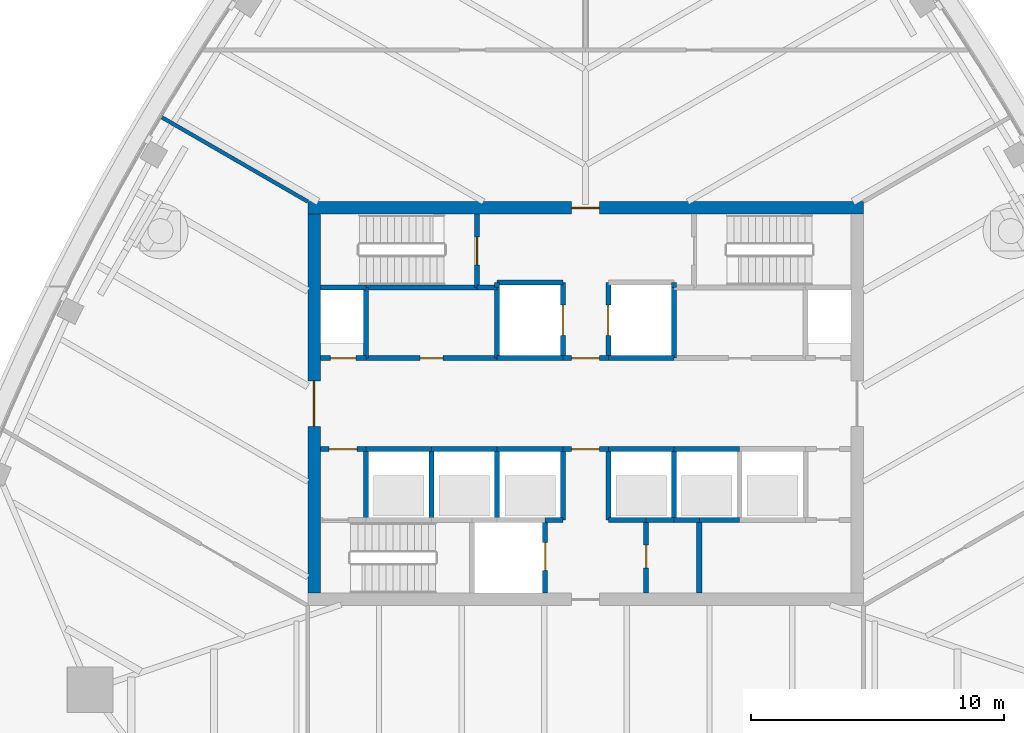
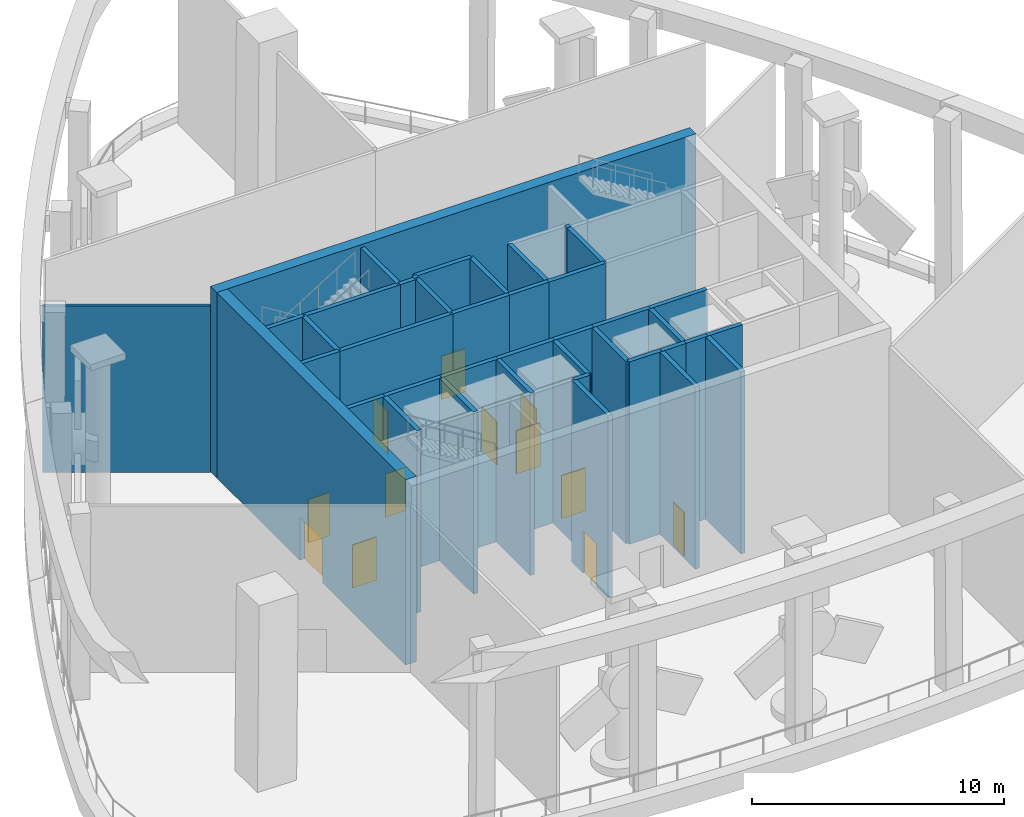
# One storey, part 3 of 12: 41 walls, 12 doors, 12 openings.
"""IFC4 building model written with IfcOpenShell, lengths in metres."""

from ifc_helpers import new_model, si_unit, direction, frame, frame_2d, origin, place, context, subcontext, project, spatial, rectangle, extrude, material, layer, layer_set, type_object, element, fill, save


model = new_model("IFC4")

# Units and contexts
model_context = context("Model", 3, precision=1e-05, world=origin(), true_north=direction((0.0, 1.0)))
body_context = subcontext(model_context, "Body", "Model", "MODEL_VIEW")
ifc_project = project(units=[si_unit("LENGTHUNIT", "METRE"), si_unit("AREAUNIT", "SQUARE_METRE"), si_unit("VOLUMEUNIT", "CUBIC_METRE"), si_unit("PLANEANGLEUNIT", "RADIAN"), si_unit("MASSUNIT", "GRAM", prefix="KILO")], contexts=[model_context])

# Site, building, storey
site_placement = place(None, origin())
site = spatial("IfcSite", under=ifc_project, at=site_placement, CompositionType="ELEMENT")
building_placement = place(site_placement, origin())
building = spatial("IfcBuilding", under=site, at=building_placement, Name="Sierra Prisma Convention Tower", CompositionType="ELEMENT")
storey_placement = place(building_placement, frame((0.0, 0.0, 330.39990234375)))
storey = spatial("IfcBuildingStorey", under=building, at=storey_placement, Name="L75", CompositionType="ELEMENT", Elevation=330.39990234375)

# Wall, opening, door
ifc_material_1 = material(Name="Concrete C30/37", Category="concrete")
ifc_layer_1 = layer(ifc_material_1, 0.199951171875)
ifc_layer_set_1 = layer_set([ifc_layer_1], Name="Core wall RC 200 C30/37")
wall_type_1 = type_object("IfcWallType", Name="Core wall RC 200 C30/37", PredefinedType="SOLIDWALL", material=ifc_layer_set_1)
wall_1_placement = place(storey_placement, frame((-10.5, -1.800048828125, 0.0), z_axis=(0.0, 0.0, 1.0), x_axis=(1.0, 0.0, 0.0)))
wall_1 = element("IfcWall", 1, at=wall_1_placement, inside=storey, type_object=wall_type_1, Name="Core wall L75 2", PredefinedType="SOLIDWALL", context=body_context, shape_type="SweptSolid", body=[
    extrude(rectangle(XDim=1.800048828125, YDim=0.199951171875, at=frame_2d((0.89990234375, 0.0))), origin(), (0.0, 0.0, 1.0), 8.85009765625),
])
opening_1_placement = place(wall_1_placement, frame((0.35009765625, 0.0, 0.0)))
opening_1 = element("IfcOpeningElement", 2, at=opening_1_placement, cuts=wall_1, Name="Opening L75-D004", PredefinedType="OPENING", context=body_context, shape_type="SweptSolid", body=[
    extrude(rectangle(XDim=1.10009765625, YDim=2.10009765625, at=frame_2d((0.550048828125, 1.050048828125))), frame((0.0, 0.10009765625, 0.0), z_axis=(0.0, -1.0, 0.0), x_axis=(1.0, 0.0, 0.0)), (0.0, 0.0, 1.0), 0.199951171875),
])
ifc_material_2 = material(Name="Steel fire door leaf", Category="steel")
door_type_1 = type_object("IfcDoorType", Name="Door 1100x2100 FD90S", OperationType="SINGLE_SWING_LEFT", PredefinedType="DOOR", material=ifc_material_2)
door_1_placement = place(opening_1_placement, origin())
door_1 = element("IfcDoor", 3, at=door_1_placement, inside=storey, type_object=door_type_1, Name="Door L75 8", OperationType="SINGLE_SWING_RIGHT", OverallHeight=2.10009765625, OverallWidth=1.10009765625, PredefinedType="DOOR", context=body_context, shape_type="SweptSolid", body=[
    extrude(rectangle(XDim=1.10009765625, YDim=2.10009765625, at=frame_2d((0.550048828125, 1.050048828125))), frame((0.0, 0.02490234375, 0.0), z_axis=(0.0, -1.0, 0.0), x_axis=(1.0, 0.0, 0.0)), (0.0, 0.0, 1.0), 0.050048828125),
])
fill(opening_1, door_1)

wall_2_placement = place(storey_placement, frame((-8.699951171875, 1.800048828125, 0.0), z_axis=(0.0, 0.0, 1.0), x_axis=(-1.0, 0.0, 0.0)))
wall_2 = element("IfcWall", 4, at=wall_2_placement, inside=storey, type_object=wall_type_1, Name="Core wall L75 3", PredefinedType="SOLIDWALL", context=body_context, shape_type="SweptSolid", body=[
    extrude(rectangle(XDim=1.800048828125, YDim=0.199951171875, at=frame_2d((0.89990234375, 0.0))), origin(), (0.0, 0.0, 1.0), 8.85009765625),
])
opening_2_placement = place(wall_2_placement, frame((0.39990234375, 0.0, 0.0)))
opening_2 = element("IfcOpeningElement", 5, at=opening_2_placement, cuts=wall_2, Name="Opening L75-D007", PredefinedType="OPENING", context=body_context, shape_type="SweptSolid", body=[
    extrude(rectangle(XDim=1.0, YDim=2.10009765625, at=frame_2d((0.5, 1.050048828125))), frame((0.0, 0.10009765625, 0.0), z_axis=(0.0, -1.0, 0.0), x_axis=(1.0, 0.0, 0.0)), (0.0, 0.0, 1.0), 0.199951171875),
])
ifc_material_3 = material(Name="Steel fire door leaf", Category="steel")
door_type_2 = type_object("IfcDoorType", Name="Door 1000x2100 FD60S", OperationType="SINGLE_SWING_LEFT", PredefinedType="DOOR", material=ifc_material_3)
door_2_placement = place(opening_2_placement, origin())
door_2 = element("IfcDoor", 6, at=door_2_placement, inside=storey, type_object=door_type_2, Name="Door L75 11", OperationType="SINGLE_SWING_LEFT", OverallHeight=2.10009765625, OverallWidth=1.0, PredefinedType="DOOR", context=body_context, shape_type="SweptSolid", body=[
    extrude(rectangle(XDim=1.0, YDim=2.10009765625, at=frame_2d((0.5, 1.050048828125))), frame((0.0, 0.02490234375, 0.0), z_axis=(0.0, -1.0, 0.0), x_axis=(1.0, 0.0, 0.0)), (0.0, 0.0, 1.0), 0.050048828125),
])
fill(opening_2, door_2)

# Walls
wall_3_placement = place(storey_placement, frame((-8.699951171875, 4.60009765625, 0.0), z_axis=(0.0, 0.0, 1.0), x_axis=(-1.0, 0.0, 0.0)))
element("IfcWall", 7, at=wall_3_placement, inside=storey, type_object=wall_type_1, Name="Core wall L75 4", PredefinedType="SOLIDWALL", context=body_context, shape_type="SweptSolid", body=[
    extrude(rectangle(XDim=1.800048828125, YDim=0.199951171875, at=frame_2d((0.89990234375, 0.0))), origin(), (0.0, 0.0, 1.0), 8.85009765625),
])
wall_4_placement = place(storey_placement, frame((-8.699951171875, -4.60009765625, 0.0), z_axis=(0.0, 0.0, 1.0), x_axis=(0.0, 1.0, 0.0)))
element("IfcWall", 8, at=wall_4_placement, inside=storey, type_object=wall_type_1, Name="Core wall L75 6", PredefinedType="SOLIDWALL", context=body_context, shape_type="SweptSolid", body=[
    extrude(rectangle(XDim=2.800048828125, YDim=0.199951171875, at=frame_2d((1.39990234375, 0.0))), origin(), (0.0, 0.0, 1.0), 8.85009765625),
])
wall_5_placement = place(storey_placement, frame((-8.699951171875, -1.800048828125, 0.0), z_axis=(0.0, 0.0, 1.0), x_axis=(1.0, 0.0, 0.0)))
element("IfcWall", 9, at=wall_5_placement, inside=storey, type_object=wall_type_1, Name="Core wall L75 7", PredefinedType="SOLIDWALL", context=body_context, shape_type="SweptSolid", body=[
    extrude(rectangle(XDim=2.599853515625, YDim=0.199951171875, at=frame_2d((1.2998046875, 0.0))), origin(), (0.0, 0.0, 1.0), 8.85009765625),
])

# Wall, opening, door
wall_6_placement = place(storey_placement, frame((-8.699951171875, 1.800048828125, 0.0), z_axis=(0.0, 0.0, 1.0), x_axis=(1.0, 0.0, 0.0)))
wall_6 = element("IfcWall", 10, at=wall_6_placement, inside=storey, type_object=wall_type_1, Name="Core wall L75 8", PredefinedType="SOLIDWALL", context=body_context, shape_type="SweptSolid", body=[
    extrude(rectangle(XDim=5.199951171875, YDim=0.199951171875, at=frame_2d((2.60009765625, 0.0))), origin(), (0.0, 0.0, 1.0), 8.85009765625),
])
opening_3_placement = place(wall_6_placement, frame((2.14990234375, 0.0, 0.0)))
opening_3 = element("IfcOpeningElement", 11, at=opening_3_placement, cuts=wall_6, Name="Opening L75-D013", PredefinedType="OPENING", context=body_context, shape_type="SweptSolid", body=[
    extrude(rectangle(XDim=0.89990234375, YDim=2.10009765625, at=frame_2d((0.449951171875, 1.050048828125))), frame((0.0, 0.10009765625, 0.0), z_axis=(0.0, -1.0, 0.0), x_axis=(1.0, 0.0, 0.0)), (0.0, 0.0, 1.0), 0.199951171875),
])
ifc_material_4 = material(Name="Steel fire door leaf", Category="steel")
door_type_3 = type_object("IfcDoorType", Name="Door 900x2100 FD30S", OperationType="SINGLE_SWING_LEFT", PredefinedType="DOOR", material=ifc_material_4)
door_3_placement = place(opening_3_placement, origin())
door_3 = element("IfcDoor", 12, at=door_3_placement, inside=storey, type_object=door_type_3, Name="Door L75 17", OperationType="SINGLE_SWING_LEFT", OverallHeight=2.10009765625, OverallWidth=0.89990234375, PredefinedType="DOOR", context=body_context, shape_type="SweptSolid", body=[
    extrude(rectangle(XDim=0.89990234375, YDim=2.10009765625, at=frame_2d((0.449951171875, 1.050048828125))), frame((0.0, 0.02490234375, 0.0), z_axis=(0.0, -1.0, 0.0), x_axis=(1.0, 0.0, 0.0)), (0.0, 0.0, 1.0), 0.050048828125),
])
fill(opening_3, door_3)

# Walls
wall_7_placement = place(storey_placement, frame((-8.699951171875, 4.60009765625, 0.0), z_axis=(0.0, 0.0, 1.0), x_axis=(0.0, -1.0, 0.0)))
element("IfcWall", 13, at=wall_7_placement, inside=storey, type_object=wall_type_1, Name="Core wall L75 9", PredefinedType="SOLIDWALL", context=body_context, shape_type="SweptSolid", body=[
    extrude(rectangle(XDim=2.800048828125, YDim=0.199951171875, at=frame_2d((1.39990234375, 0.0))), origin(), (0.0, 0.0, 1.0), 8.85009765625),
])
wall_8_placement = place(storey_placement, frame((-4.300048828125, 4.60009765625, 0.0), z_axis=(0.0, 0.0, 1.0), x_axis=(-1.0, 0.0, 0.0)))
element("IfcWall", 14, at=wall_8_placement, inside=storey, type_object=wall_type_1, Name="Core wall L75 10", PredefinedType="SOLIDWALL", context=body_context, shape_type="SweptSolid", body=[
    extrude(rectangle(XDim=4.39990234375, YDim=0.199951171875, at=frame_2d((2.199951171875, 0.0))), origin(), (0.0, 0.0, 1.0), 8.85009765625),
])
wall_9_placement = place(storey_placement, frame((-6.10009765625, -4.60009765625, 0.0), z_axis=(0.0, 0.0, 1.0), x_axis=(0.0, 1.0, 0.0)))
element("IfcWall", 15, at=wall_9_placement, inside=storey, type_object=wall_type_1, Name="Core wall L75 12", PredefinedType="SOLIDWALL", context=body_context, shape_type="SweptSolid", body=[
    extrude(rectangle(XDim=2.800048828125, YDim=0.199951171875, at=frame_2d((1.39990234375, 0.0))), origin(), (0.0, 0.0, 1.0), 8.85009765625),
])
wall_10_placement = place(storey_placement, frame((-6.10009765625, -1.800048828125, 0.0), z_axis=(0.0, 0.0, 1.0), x_axis=(1.0, 0.0, 0.0)))
element("IfcWall", 16, at=wall_10_placement, inside=storey, type_object=wall_type_1, Name="Core wall L75 13", PredefinedType="SOLIDWALL", context=body_context, shape_type="SweptSolid", body=[
    extrude(rectangle(XDim=2.60009765625, YDim=0.199951171875, at=frame_2d((1.300048828125, 0.0))), origin(), (0.0, 0.0, 1.0), 8.85009765625),
])
wall_11_placement = place(storey_placement, frame((-3.5, 4.60009765625, 0.0), z_axis=(0.0, 0.0, 1.0), x_axis=(-1.0, 0.0, 0.0)))
element("IfcWall", 17, at=wall_11_placement, inside=storey, type_object=wall_type_1, Name="Core wall L75 16", PredefinedType="SOLIDWALL", context=body_context, shape_type="SweptSolid", body=[
    extrude(rectangle(XDim=0.800048828125, YDim=0.199951171875, at=frame_2d((0.39990234375, 0.0))), origin(), (0.0, 0.0, 1.0), 8.85009765625),
])

# Wall, opening, door
wall_12_placement = place(storey_placement, frame((-4.300048828125, 4.60009765625, 0.0), z_axis=(0.0, 0.0, 1.0), x_axis=(0.0, 1.0, 0.0)))
wall_12 = element("IfcWall", 18, at=wall_12_placement, inside=storey, type_object=wall_type_1, Name="Core wall L75 17", PredefinedType="SOLIDWALL", context=body_context, shape_type="SweptSolid", body=[
    extrude(rectangle(XDim=2.89990234375, YDim=0.199951171875, at=frame_2d((1.449951171875, 0.0))), origin(), (0.0, 0.0, 1.0), 8.85009765625),
])
opening_4_placement = place(wall_12_placement, frame((0.89990234375, 0.0, 0.0)))
opening_4 = element("IfcOpeningElement", 19, at=opening_4_placement, cuts=wall_12, Name="Opening L75-D010", PredefinedType="OPENING", context=body_context, shape_type="SweptSolid", body=[
    extrude(rectangle(XDim=1.10009765625, YDim=2.10009765625, at=frame_2d((0.550048828125, 1.050048828125))), frame((0.0, 0.10009765625, 0.0), z_axis=(0.0, -1.0, 0.0), x_axis=(1.0, 0.0, 0.0)), (0.0, 0.0, 1.0), 0.199951171875),
])
door_4_placement = place(opening_4_placement, origin())
door_4 = element("IfcDoor", 20, at=door_4_placement, inside=storey, type_object=door_type_1, Name="Door L75 14", OperationType="SINGLE_SWING_RIGHT", OverallHeight=2.10009765625, OverallWidth=1.10009765625, PredefinedType="DOOR", context=body_context, shape_type="SweptSolid", body=[
    extrude(rectangle(XDim=1.10009765625, YDim=2.10009765625, at=frame_2d((0.550048828125, 1.050048828125))), frame((0.0, 0.02490234375, 0.0), z_axis=(0.0, -1.0, 0.0), x_axis=(1.0, 0.0, 0.0)), (0.0, 0.0, 1.0), 0.050048828125),
])
fill(opening_4, door_4)

# Walls
wall_13_placement = place(storey_placement, frame((-3.5, -4.60009765625, 0.0), z_axis=(0.0, 0.0, 1.0), x_axis=(0.0, 1.0, 0.0)))
element("IfcWall", 21, at=wall_13_placement, inside=storey, type_object=wall_type_1, Name="Core wall L75 19", PredefinedType="SOLIDWALL", context=body_context, shape_type="SweptSolid", body=[
    extrude(rectangle(XDim=2.800048828125, YDim=0.199951171875, at=frame_2d((1.39990234375, 0.0))), origin(), (0.0, 0.0, 1.0), 8.85009765625),
])
for number, where, z_axis, x_axis, name in (
    (22, (-3.5, -1.800048828125, 0.0), (0.0, 0.0, 1.0), (1.0, 0.0, 0.0), "Core wall L75 20"),
    (23, (-0.89990234375, 1.800048828125, 0.0), (0.0, 0.0, 1.0), (-1.0, 0.0, 0.0), "Core wall L75 21"),
):
    element("IfcWall", number, at=place(storey_placement, frame(where, z_axis=z_axis, x_axis=x_axis)), inside=storey, type_object=wall_type_1, Name=name, PredefinedType="SOLIDWALL", context=body_context, shape_type="SweptSolid", body=[
        extrude(rectangle(XDim=2.60009765625, YDim=0.199951171875, at=frame_2d((1.300048828125, 0.0))), origin(), (0.0, 0.0, 1.0), 8.85009765625),
    ])
wall_14_placement = place(storey_placement, frame((-3.5, 1.800048828125, 0.0), z_axis=(0.0, 0.0, 1.0), x_axis=(0.0, 1.0, 0.0)))
element("IfcWall", 24, at=wall_14_placement, inside=storey, type_object=wall_type_1, Name="Core wall L75 22", PredefinedType="SOLIDWALL", context=body_context, shape_type="SweptSolid", body=[
    extrude(rectangle(XDim=2.800048828125, YDim=0.199951171875, at=frame_2d((1.39990234375, 0.0))), origin(), (0.0, 0.0, 1.0), 8.85009765625),
])

# Wall, opening, door
wall_15_placement = place(storey_placement, frame((-0.89990234375, 1.800048828125, 0.0), z_axis=(0.0, 0.0, 1.0), x_axis=(0.0, 1.0, 0.0)))
wall_15 = element("IfcWall", 25, at=wall_15_placement, inside=storey, type_object=wall_type_1, Name="Core wall L75 23", PredefinedType="SOLIDWALL", context=body_context, shape_type="SweptSolid", body=[
    extrude(rectangle(XDim=3.0, YDim=0.199951171875, at=frame_2d((1.5, 0.0))), origin(), (0.0, 0.0, 1.0), 8.85009765625),
])
opening_5_placement = place(wall_15_placement, frame((0.89990234375, 0.0, 0.0)))
opening_5 = element("IfcOpeningElement", 26, at=opening_5_placement, cuts=wall_15, Name="Opening L75-D001", PredefinedType="OPENING", context=body_context, shape_type="SweptSolid", body=[
    extrude(rectangle(XDim=1.199951171875, YDim=2.10009765625, at=frame_2d((0.60009765625, 1.050048828125))), frame((0.0, 0.10009765625, 0.0), z_axis=(0.0, -1.0, 0.0), x_axis=(1.0, 0.0, 0.0)), (0.0, 0.0, 1.0), 0.199951171875),
])
ifc_material_5 = material(Name="Steel fire door leaf", Category="steel")
door_type_4 = type_object("IfcDoorType", Name="Door 1200x2100 EI 90 sliding lift landing", OperationType="SLIDING_TO_LEFT", PredefinedType="DOOR", material=ifc_material_5)
door_5_placement = place(opening_5_placement, origin())
door_5 = element("IfcDoor", 27, at=door_5_placement, inside=storey, type_object=door_type_4, Name="Door L75 5", OperationType="SLIDING_TO_RIGHT", OverallHeight=2.10009765625, OverallWidth=1.199951171875, PredefinedType="DOOR", context=body_context, shape_type="SweptSolid", body=[
    extrude(rectangle(XDim=1.199951171875, YDim=2.10009765625, at=frame_2d((0.60009765625, 1.050048828125))), frame((0.0, 0.02490234375, 0.0), z_axis=(0.0, -1.0, 0.0), x_axis=(1.0, 0.0, 0.0)), (0.0, 0.0, 1.0), 0.050048828125),
])
fill(opening_5, door_5)

# Walls
wall_16_placement = place(storey_placement, frame((-0.89990234375, 4.800048828125, 0.0), z_axis=(0.0, 0.0, 1.0), x_axis=(-1.0, 0.0, 0.0)))
element("IfcWall", 28, at=wall_16_placement, inside=storey, type_object=wall_type_1, Name="Core wall L75 24", PredefinedType="SOLIDWALL", context=body_context, shape_type="SweptSolid", body=[
    extrude(rectangle(XDim=2.60009765625, YDim=0.199951171875, at=frame_2d((1.300048828125, 0.0))), origin(), (0.0, 0.0, 1.0), 8.85009765625),
])
wall_17_placement = place(storey_placement, frame((-3.5, 4.800048828125, 0.0), z_axis=(0.0, 0.0, 1.0), x_axis=(0.0, -1.0, 0.0)))
element("IfcWall", 29, at=wall_17_placement, inside=storey, type_object=wall_type_1, Name="Core wall L75 25", PredefinedType="SOLIDWALL", context=body_context, shape_type="SweptSolid", body=[
    extrude(rectangle(XDim=0.199951171875, YDim=0.199951171875, at=frame_2d((0.10009765625, 0.0))), origin(), (0.0, 0.0, 1.0), 8.85009765625),
])

# Wall, opening, door
wall_18_placement = place(storey_placement, frame((-1.60009765625, -7.5, 0.0), z_axis=(0.0, 0.0, 1.0), x_axis=(0.0, 1.0, 0.0)))
wall_18 = element("IfcWall", 30, at=wall_18_placement, inside=storey, type_object=wall_type_1, Name="Core wall L75 26", PredefinedType="SOLIDWALL", context=body_context, shape_type="SweptSolid", body=[
    extrude(rectangle(XDim=2.89990234375, YDim=0.199951171875, at=frame_2d((1.449951171875, 0.0))), origin(), (0.0, 0.0, 1.0), 8.85009765625),
])
opening_6_placement = place(wall_18_placement, frame((0.89990234375, 0.0, 0.0)))
opening_6 = element("IfcOpeningElement", 31, at=opening_6_placement, cuts=wall_18, Name="Opening L75-D003", PredefinedType="OPENING", context=body_context, shape_type="SweptSolid", body=[
    extrude(rectangle(XDim=1.10009765625, YDim=2.10009765625, at=frame_2d((0.550048828125, 1.050048828125))), frame((0.0, 0.10009765625, 0.0), z_axis=(0.0, -1.0, 0.0), x_axis=(1.0, 0.0, 0.0)), (0.0, 0.0, 1.0), 0.199951171875),
])
ifc_material_6 = material(Name="Steel fire door leaf", Category="steel")
door_type_5 = type_object("IfcDoorType", Name="Door 1100x2100 EI 90 sliding lift landing", OperationType="SLIDING_TO_LEFT", PredefinedType="DOOR", material=ifc_material_6)
door_6_placement = place(opening_6_placement, origin())
door_6 = element("IfcDoor", 32, at=door_6_placement, inside=storey, type_object=door_type_5, Name="Door L75 7", OperationType="SLIDING_TO_LEFT", OverallHeight=2.10009765625, OverallWidth=1.10009765625, PredefinedType="DOOR", context=body_context, shape_type="SweptSolid", body=[
    extrude(rectangle(XDim=1.10009765625, YDim=2.10009765625, at=frame_2d((0.550048828125, 1.050048828125))), frame((0.0, 0.02490234375, 0.0), z_axis=(0.0, -1.0, 0.0), x_axis=(1.0, 0.0, 0.0)), (0.0, 0.0, 1.0), 0.050048828125),
])
fill(opening_6, door_6)

# Walls
wall_19_placement = place(storey_placement, frame((-1.60009765625, -4.60009765625, 0.0), z_axis=(0.0, 0.0, 1.0), x_axis=(1.0, 0.0, 0.0)))
element("IfcWall", 33, at=wall_19_placement, inside=storey, type_object=wall_type_1, Name="Core wall L75 27", PredefinedType="SOLIDWALL", context=body_context, shape_type="SweptSolid", body=[
    extrude(rectangle(XDim=0.7001953125, YDim=0.199951171875, at=frame_2d((0.35009765625, 0.0))), origin(), (0.0, 0.0, 1.0), 8.85009765625),
])
wall_20_placement = place(storey_placement, frame((-0.89990234375, -4.60009765625, 0.0), z_axis=(0.0, 0.0, 1.0), x_axis=(0.0, 1.0, 0.0)))
element("IfcWall", 34, at=wall_20_placement, inside=storey, type_object=wall_type_1, Name="Core wall L75 28", PredefinedType="SOLIDWALL", context=body_context, shape_type="SweptSolid", body=[
    extrude(rectangle(XDim=2.800048828125, YDim=0.199951171875, at=frame_2d((1.39990234375, 0.0))), origin(), (0.0, 0.0, 1.0), 8.85009765625),
])

# Wall, opening, door
wall_21_placement = place(storey_placement, frame((-0.89990234375, -1.800048828125, 0.0), z_axis=(0.0, 0.0, 1.0), x_axis=(1.0, 0.0, 0.0)))
wall_21 = element("IfcWall", 35, at=wall_21_placement, inside=storey, type_object=wall_type_1, Name="Core wall L75 29", PredefinedType="SOLIDWALL", context=body_context, shape_type="SweptSolid", body=[
    extrude(rectangle(XDim=1.7998046875, YDim=0.199951171875, at=frame_2d((0.89990234375, 0.0))), origin(), (0.0, 0.0, 1.0), 8.85009765625),
])
opening_7_placement = place(wall_21_placement, frame((0.35009765625, 0.0, 0.0)))
opening_7 = element("IfcOpeningElement", 36, at=opening_7_placement, cuts=wall_21, Name="Opening L75-D006", PredefinedType="OPENING", context=body_context, shape_type="SweptSolid", body=[
    extrude(rectangle(XDim=1.10009765625, YDim=2.10009765625, at=frame_2d((0.550048828125, 1.050048828125))), frame((0.0, 0.10009765625, 0.0), z_axis=(0.0, -1.0, 0.0), x_axis=(1.0, 0.0, 0.0)), (0.0, 0.0, 1.0), 0.199951171875),
])
ifc_material_7 = material(Name="Steel fire door leaf", Category="steel")
door_type_6 = type_object("IfcDoorType", Name="Door 1100x2100 FD30S", OperationType="SINGLE_SWING_LEFT", PredefinedType="DOOR", material=ifc_material_7)
door_7_placement = place(opening_7_placement, origin())
door_7 = element("IfcDoor", 37, at=door_7_placement, inside=storey, type_object=door_type_6, Name="Door L75 10", OperationType="SINGLE_SWING_LEFT", OverallHeight=2.10009765625, OverallWidth=1.10009765625, PredefinedType="DOOR", context=body_context, shape_type="SweptSolid", body=[
    extrude(rectangle(XDim=1.10009765625, YDim=2.10009765625, at=frame_2d((0.550048828125, 1.050048828125))), frame((0.0, 0.02490234375, 0.0), z_axis=(0.0, -1.0, 0.0), x_axis=(1.0, 0.0, 0.0)), (0.0, 0.0, 1.0), 0.050048828125),
])
fill(opening_7, door_7)

wall_22_placement = place(storey_placement, frame((0.89990234375, 1.800048828125, 0.0), z_axis=(0.0, 0.0, 1.0), x_axis=(-1.0, 0.0, 0.0)))
wall_22 = element("IfcWall", 38, at=wall_22_placement, inside=storey, type_object=wall_type_1, Name="Core wall L75 30", PredefinedType="SOLIDWALL", context=body_context, shape_type="SweptSolid", body=[
    extrude(rectangle(XDim=1.7998046875, YDim=0.199951171875, at=frame_2d((0.89990234375, 0.0))), origin(), (0.0, 0.0, 1.0), 8.85009765625),
])
opening_8_placement = place(wall_22_placement, frame((0.35009765625, 0.0, 0.0)))
opening_8 = element("IfcOpeningElement", 39, at=opening_8_placement, cuts=wall_22, Name="Opening L75-D005", PredefinedType="OPENING", context=body_context, shape_type="SweptSolid", body=[
    extrude(rectangle(XDim=1.10009765625, YDim=2.10009765625, at=frame_2d((0.550048828125, 1.050048828125))), frame((0.0, 0.10009765625, 0.0), z_axis=(0.0, -1.0, 0.0), x_axis=(1.0, 0.0, 0.0)), (0.0, 0.0, 1.0), 0.199951171875),
])
ifc_material_8 = material(Name="Steel fire door leaf", Category="steel")
door_type_7 = type_object("IfcDoorType", Name="Door 1100x2100 FD60S", OperationType="SINGLE_SWING_LEFT", PredefinedType="DOOR", material=ifc_material_8)
door_8_placement = place(opening_8_placement, origin())
door_8 = element("IfcDoor", 40, at=door_8_placement, inside=storey, type_object=door_type_7, Name="Door L75 9", OperationType="SINGLE_SWING_RIGHT", OverallHeight=2.10009765625, OverallWidth=1.10009765625, PredefinedType="DOOR", context=body_context, shape_type="SweptSolid", body=[
    extrude(rectangle(XDim=1.10009765625, YDim=2.10009765625, at=frame_2d((0.550048828125, 1.050048828125))), frame((0.0, 0.02490234375, 0.0), z_axis=(0.0, -1.0, 0.0), x_axis=(1.0, 0.0, 0.0)), (0.0, 0.0, 1.0), 0.050048828125),
])
fill(opening_8, door_8)

# Walls
wall_23_placement = place(storey_placement, frame((0.89990234375, -1.800048828125, 0.0), z_axis=(0.0, 0.0, 1.0), x_axis=(1.0, 0.0, 0.0)))
element("IfcWall", 41, at=wall_23_placement, inside=storey, type_object=wall_type_1, Name="Core wall L75 31", PredefinedType="SOLIDWALL", context=body_context, shape_type="SweptSolid", body=[
    extrude(rectangle(XDim=2.60009765625, YDim=0.199951171875, at=frame_2d((1.300048828125, 0.0))), origin(), (0.0, 0.0, 1.0), 8.85009765625),
])
wall_24_placement = place(storey_placement, frame((0.89990234375, -1.800048828125, 0.0), z_axis=(0.0, 0.0, 1.0), x_axis=(0.0, -1.0, 0.0)))
element("IfcWall", 42, at=wall_24_placement, inside=storey, type_object=wall_type_1, Name="Core wall L75 32", PredefinedType="SOLIDWALL", context=body_context, shape_type="SweptSolid", body=[
    extrude(rectangle(XDim=2.800048828125, YDim=0.199951171875, at=frame_2d((1.39990234375, 0.0))), origin(), (0.0, 0.0, 1.0), 8.85009765625),
])
wall_25_placement = place(storey_placement, frame((0.89990234375, -4.60009765625, 0.0), z_axis=(0.0, 0.0, 1.0), x_axis=(1.0, 0.0, 0.0)))
element("IfcWall", 43, at=wall_25_placement, inside=storey, type_object=wall_type_1, Name="Core wall L75 33", PredefinedType="SOLIDWALL", context=body_context, shape_type="SweptSolid", body=[
    extrude(rectangle(XDim=1.5, YDim=0.199951171875, at=frame_2d((0.75, 0.0))), origin(), (0.0, 0.0, 1.0), 8.85009765625),
])
wall_26_placement = place(storey_placement, frame((3.5, 1.800048828125, 0.0), z_axis=(0.0, 0.0, 1.0), x_axis=(-1.0, 0.0, 0.0)))
element("IfcWall", 44, at=wall_26_placement, inside=storey, type_object=wall_type_1, Name="Core wall L75 34", PredefinedType="SOLIDWALL", context=body_context, shape_type="SweptSolid", body=[
    extrude(rectangle(XDim=2.60009765625, YDim=0.199951171875, at=frame_2d((1.300048828125, 0.0))), origin(), (0.0, 0.0, 1.0), 8.85009765625),
])
wall_27_placement = place(storey_placement, frame((3.5, 4.60009765625, 0.0), z_axis=(0.0, 0.0, 1.0), x_axis=(0.0, 1.0, 0.0)))
element("IfcWall", 45, at=wall_27_placement, inside=storey, type_object=wall_type_1, Name="Core wall L75 35", PredefinedType="SOLIDWALL", context=body_context, shape_type="SweptSolid", body=[
    extrude(rectangle(XDim=0.199951171875, YDim=0.199951171875, at=frame_2d((0.10009765625, 0.0))), origin(), (0.0, 0.0, 1.0), 8.85009765625),
])

# Wall, opening, door
wall_28_placement = place(storey_placement, frame((0.89990234375, 4.800048828125, 0.0), z_axis=(0.0, 0.0, 1.0), x_axis=(0.0, -1.0, 0.0)))
wall_28 = element("IfcWall", 46, at=wall_28_placement, inside=storey, type_object=wall_type_1, Name="Core wall L75 37", PredefinedType="SOLIDWALL", context=body_context, shape_type="SweptSolid", body=[
    extrude(rectangle(XDim=3.0, YDim=0.199951171875, at=frame_2d((1.5, 0.0))), origin(), (0.0, 0.0, 1.0), 8.85009765625),
])
opening_9_placement = place(wall_28_placement, frame((0.89990234375, 0.0, 0.0)))
opening_9 = element("IfcOpeningElement", 47, at=opening_9_placement, cuts=wall_28, Name="Opening L75-D002", PredefinedType="OPENING", context=body_context, shape_type="SweptSolid", body=[
    extrude(rectangle(XDim=1.199951171875, YDim=2.10009765625, at=frame_2d((0.60009765625, 1.050048828125))), frame((0.0, 0.10009765625, 0.0), z_axis=(0.0, -1.0, 0.0), x_axis=(1.0, 0.0, 0.0)), (0.0, 0.0, 1.0), 0.199951171875),
])
door_9_placement = place(opening_9_placement, origin())
door_9 = element("IfcDoor", 48, at=door_9_placement, inside=storey, type_object=door_type_4, Name="Door L75 6", OperationType="SLIDING_TO_RIGHT", OverallHeight=2.10009765625, OverallWidth=1.199951171875, PredefinedType="DOOR", context=body_context, shape_type="SweptSolid", body=[
    extrude(rectangle(XDim=1.199951171875, YDim=2.10009765625, at=frame_2d((0.60009765625, 1.050048828125))), frame((0.0, 0.02490234375, 0.0), z_axis=(0.0, -1.0, 0.0), x_axis=(1.0, 0.0, 0.0)), (0.0, 0.0, 1.0), 0.050048828125),
])
fill(opening_9, door_9)

wall_29_placement = place(storey_placement, frame((2.39990234375, -4.60009765625, 0.0), z_axis=(0.0, 0.0, 1.0), x_axis=(0.0, -1.0, 0.0)))
wall_29 = element("IfcWall", 49, at=wall_29_placement, inside=storey, type_object=wall_type_1, Name="Core wall L75 38", PredefinedType="SOLIDWALL", context=body_context, shape_type="SweptSolid", body=[
    extrude(rectangle(XDim=2.89990234375, YDim=0.199951171875, at=frame_2d((1.449951171875, 0.0))), origin(), (0.0, 0.0, 1.0), 8.85009765625),
])
opening_10_placement = place(wall_29_placement, frame((1.0, 0.0, 0.0)))
opening_10 = element("IfcOpeningElement", 50, at=opening_10_placement, cuts=wall_29, Name="Opening L75-D016", PredefinedType="OPENING", context=body_context, shape_type="SweptSolid", body=[
    extrude(rectangle(XDim=0.89990234375, YDim=2.10009765625, at=frame_2d((0.449951171875, 1.050048828125))), frame((0.0, 0.10009765625, 0.0), z_axis=(0.0, -1.0, 0.0), x_axis=(1.0, 0.0, 0.0)), (0.0, 0.0, 1.0), 0.199951171875),
])
door_10_placement = place(opening_10_placement, origin())
door_10 = element("IfcDoor", 51, at=door_10_placement, inside=storey, type_object=door_type_3, Name="Door L75 20", OperationType="SINGLE_SWING_LEFT", OverallHeight=2.10009765625, OverallWidth=0.89990234375, PredefinedType="DOOR", context=body_context, shape_type="SweptSolid", body=[
    extrude(rectangle(XDim=0.89990234375, YDim=2.10009765625, at=frame_2d((0.449951171875, 1.050048828125))), frame((0.0, 0.02490234375, 0.0), z_axis=(0.0, -1.0, 0.0), x_axis=(1.0, 0.0, 0.0)), (0.0, 0.0, 1.0), 0.050048828125),
])
fill(opening_10, door_10)

# Walls
wall_30_placement = place(storey_placement, frame((3.5, -4.60009765625, 0.0), z_axis=(0.0, 0.0, 1.0), x_axis=(-1.0, 0.0, 0.0)))
element("IfcWall", 52, at=wall_30_placement, inside=storey, type_object=wall_type_1, Name="Core wall L75 39", PredefinedType="SOLIDWALL", context=body_context, shape_type="SweptSolid", body=[
    extrude(rectangle(XDim=1.10009765625, YDim=0.199951171875, at=frame_2d((0.550048828125, 0.0))), origin(), (0.0, 0.0, 1.0), 8.85009765625),
])
wall_31_placement = place(storey_placement, frame((4.5, -4.60009765625, 0.0), z_axis=(0.0, 0.0, 1.0), x_axis=(-1.0, 0.0, 0.0)))
element("IfcWall", 53, at=wall_31_placement, inside=storey, type_object=wall_type_1, Name="Core wall L75 40", PredefinedType="SOLIDWALL", context=body_context, shape_type="SweptSolid", body=[
    extrude(rectangle(XDim=1.0, YDim=0.199951171875, at=frame_2d((0.5, 0.0))), origin(), (0.0, 0.0, 1.0), 8.85009765625),
])
wall_32_placement = place(storey_placement, frame((3.5, -4.60009765625, 0.0), z_axis=(0.0, 0.0, 1.0), x_axis=(0.0, 1.0, 0.0)))
element("IfcWall", 54, at=wall_32_placement, inside=storey, type_object=wall_type_1, Name="Core wall L75 41", PredefinedType="SOLIDWALL", context=body_context, shape_type="SweptSolid", body=[
    extrude(rectangle(XDim=2.800048828125, YDim=0.199951171875, at=frame_2d((1.39990234375, 0.0))), origin(), (0.0, 0.0, 1.0), 8.85009765625),
])
wall_33_placement = place(storey_placement, frame((3.5, -1.800048828125, 0.0), z_axis=(0.0, 0.0, 1.0), x_axis=(1.0, 0.0, 0.0)))
element("IfcWall", 55, at=wall_33_placement, inside=storey, type_object=wall_type_1, Name="Core wall L75 42", PredefinedType="SOLIDWALL", context=body_context, shape_type="SweptSolid", body=[
    extrude(rectangle(XDim=2.60009765625, YDim=0.199951171875, at=frame_2d((1.300048828125, 0.0))), origin(), (0.0, 0.0, 1.0), 8.85009765625),
])
wall_34_placement = place(storey_placement, frame((3.5, 4.60009765625, 0.0), z_axis=(0.0, 0.0, 1.0), x_axis=(0.0, -1.0, 0.0)))
element("IfcWall", 56, at=wall_34_placement, inside=storey, type_object=wall_type_1, Name="Core wall L75 44", PredefinedType="SOLIDWALL", context=body_context, shape_type="SweptSolid", body=[
    extrude(rectangle(XDim=2.800048828125, YDim=0.199951171875, at=frame_2d((1.39990234375, 0.0))), origin(), (0.0, 0.0, 1.0), 8.85009765625),
])
wall_35_placement = place(storey_placement, frame((4.5, -4.60009765625, 0.0), z_axis=(0.0, 0.0, 1.0), x_axis=(0.0, -1.0, 0.0)))
element("IfcWall", 57, at=wall_35_placement, inside=storey, type_object=wall_type_1, Name="Core wall L75 48", PredefinedType="SOLIDWALL", context=body_context, shape_type="SweptSolid", body=[
    extrude(rectangle(XDim=2.89990234375, YDim=0.199951171875, at=frame_2d((1.449951171875, 0.0))), origin(), (0.0, 0.0, 1.0), 8.85009765625),
])
wall_36_placement = place(storey_placement, frame((6.10009765625, -4.60009765625, 0.0), z_axis=(0.0, 0.0, 1.0), x_axis=(-1.0, 0.0, 0.0)))
element("IfcWall", 58, at=wall_36_placement, inside=storey, type_object=wall_type_1, Name="Core wall L75 49", PredefinedType="SOLIDWALL", context=body_context, shape_type="SweptSolid", body=[
    extrude(rectangle(XDim=1.60009765625, YDim=0.199951171875, at=frame_2d((0.800048828125, 0.0))), origin(), (0.0, 0.0, 1.0), 8.85009765625),
])

# Wall, opening, door
ifc_material_9 = material(Name="Concrete C50/60", Category="concrete")
ifc_layer_2 = layer(ifc_material_9, 0.5)
ifc_layer_set_2 = layer_set([ifc_layer_2], Name="Core wall RC 500 C50/60")
wall_type_2 = type_object("IfcWallType", Name="Core wall RC 500 C50/60", PredefinedType="SHEAR", material=ifc_layer_set_2)
wall_37_placement = place(storey_placement, frame((-11.0, 7.75, 0.0), z_axis=(0.0, 0.0, 1.0), x_axis=(1.0, 0.0, 0.0)))
wall_37 = element("IfcWall", 59, at=wall_37_placement, inside=storey, type_object=wall_type_2, Name="Core wall N L75", PredefinedType="SHEAR", context=body_context, shape_type="SweptSolid", body=[
    extrude(rectangle(XDim=22.0, YDim=0.5, at=frame_2d((11.0, 0.0))), origin(), (0.0, 0.0, 1.0), 9.0),
])
opening_11_placement = place(wall_37_placement, frame((10.449951171875, 0.0, 0.0)))
opening_11 = element("IfcOpeningElement", 60, at=opening_11_placement, cuts=wall_37, Name="Opening L75-D022", PredefinedType="OPENING", context=body_context, shape_type="SweptSolid", body=[
    extrude(rectangle(XDim=1.10009765625, YDim=2.10009765625, at=frame_2d((0.550048828125, 1.050048828125))), frame((0.0, 0.25, 0.0), z_axis=(0.0, -1.0, 0.0), x_axis=(1.0, 0.0, 0.0)), (0.0, 0.0, 1.0), 0.5),
])
door_11_placement = place(opening_11_placement, origin())
door_11 = element("IfcDoor", 61, at=door_11_placement, inside=storey, type_object=door_type_7, Name="Door L75 23", OperationType="SINGLE_SWING_LEFT", OverallHeight=2.10009765625, OverallWidth=1.10009765625, PredefinedType="DOOR", context=body_context, shape_type="SweptSolid", body=[
    extrude(rectangle(XDim=1.10009765625, YDim=2.10009765625, at=frame_2d((0.550048828125, 1.050048828125))), frame((0.0, 0.02490234375, 0.0), z_axis=(0.0, -1.0, 0.0), x_axis=(1.0, 0.0, 0.0)), (0.0, 0.0, 1.0), 0.050048828125),
])
fill(opening_11, door_11)

wall_38_placement = place(storey_placement, frame((-10.75, -7.5, 0.0), z_axis=(0.0, 0.0, 1.0), x_axis=(0.0, 1.0, 0.0)))
wall_38 = element("IfcWall", 62, at=wall_38_placement, inside=storey, type_object=wall_type_2, Name="Core wall W L75", PredefinedType="SHEAR", context=body_context, shape_type="SweptSolid", body=[
    extrude(rectangle(XDim=15.0, YDim=0.5, at=frame_2d((7.5, 0.0))), origin(), (0.0, 0.0, 1.0), 9.0),
])
opening_12_placement = place(wall_38_placement, frame((6.60009765625, 0.0, 0.0)))
opening_12 = element("IfcOpeningElement", 63, at=opening_12_placement, cuts=wall_38, Name="Opening L75-D024", PredefinedType="OPENING", context=body_context, shape_type="SweptSolid", body=[
    extrude(rectangle(XDim=1.800048828125, YDim=2.10009765625, at=frame_2d((0.89990234375, 1.050048828125))), frame((0.0, 0.25, 0.0), z_axis=(0.0, -1.0, 0.0), x_axis=(1.0, 0.0, 0.0)), (0.0, 0.0, 1.0), 0.5),
])
ifc_material_10 = material(Name="Steel fire door leaf", Category="steel")
door_type_8 = type_object("IfcDoorType", Name="Door 1800x2100 FD60S", OperationType="DOUBLE_DOOR_SINGLE_SWING", PredefinedType="DOOR", material=ifc_material_10)
door_12_placement = place(opening_12_placement, origin())
door_12 = element("IfcDoor", 64, at=door_12_placement, inside=storey, type_object=door_type_8, Name="Door L75 21", OperationType="DOUBLE_DOOR_SINGLE_SWING", OverallHeight=2.10009765625, OverallWidth=1.800048828125, PredefinedType="DOOR", context=body_context, shape_type="SweptSolid", body=[
    extrude(rectangle(XDim=1.800048828125, YDim=2.10009765625, at=frame_2d((0.89990234375, 1.050048828125))), frame((0.0, 0.02490234375, 0.0), z_axis=(0.0, -1.0, 0.0), x_axis=(1.0, 0.0, 0.0)), (0.0, 0.0, 1.0), 0.050048828125),
])
fill(opening_12, door_12)

# Wall
ifc_material_11 = material(Name="Gypsum board partition", Category="gypsum")
ifc_layer_3 = layer(ifc_material_11, 0.14990234375)
ifc_layer_set_3 = layer_set([ifc_layer_3], Name="Party wall 150 gypsum")
wall_type_3 = type_object("IfcWallType", Name="Party wall 150 gypsum", PredefinedType="PARTITIONING", material=ifc_layer_set_3)
wall_39_placement = place(storey_placement, frame((-10.99951171875, 8.0009765625, 0.0), z_axis=(0.0, 0.0, 1.0), x_axis=(-0.866041473349, 0.499972165665, 0.0)))
element("IfcWall", 65, at=wall_39_placement, inside=storey, type_object=wall_type_3, Name="Partition L75 party 3", PredefinedType="PARTITIONING", context=body_context, shape_type="SweptSolid", body=[
    extrude(rectangle(XDim=6.68603515625, YDim=0.14990234375, at=frame_2d((3.343017578125, 0.0))), origin(), (0.0, 0.0, 1.0), 8.0830078125),
])

save(model, "model.ifc")
